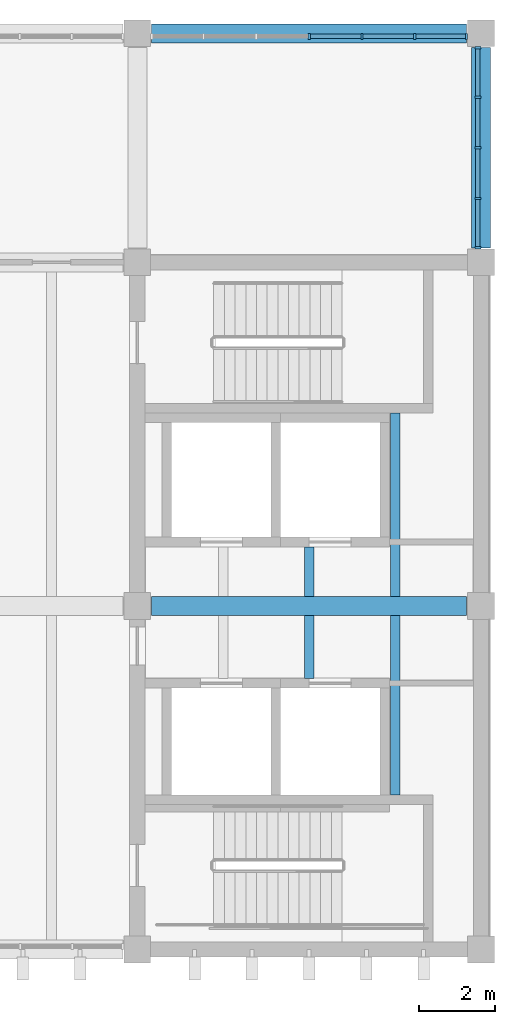
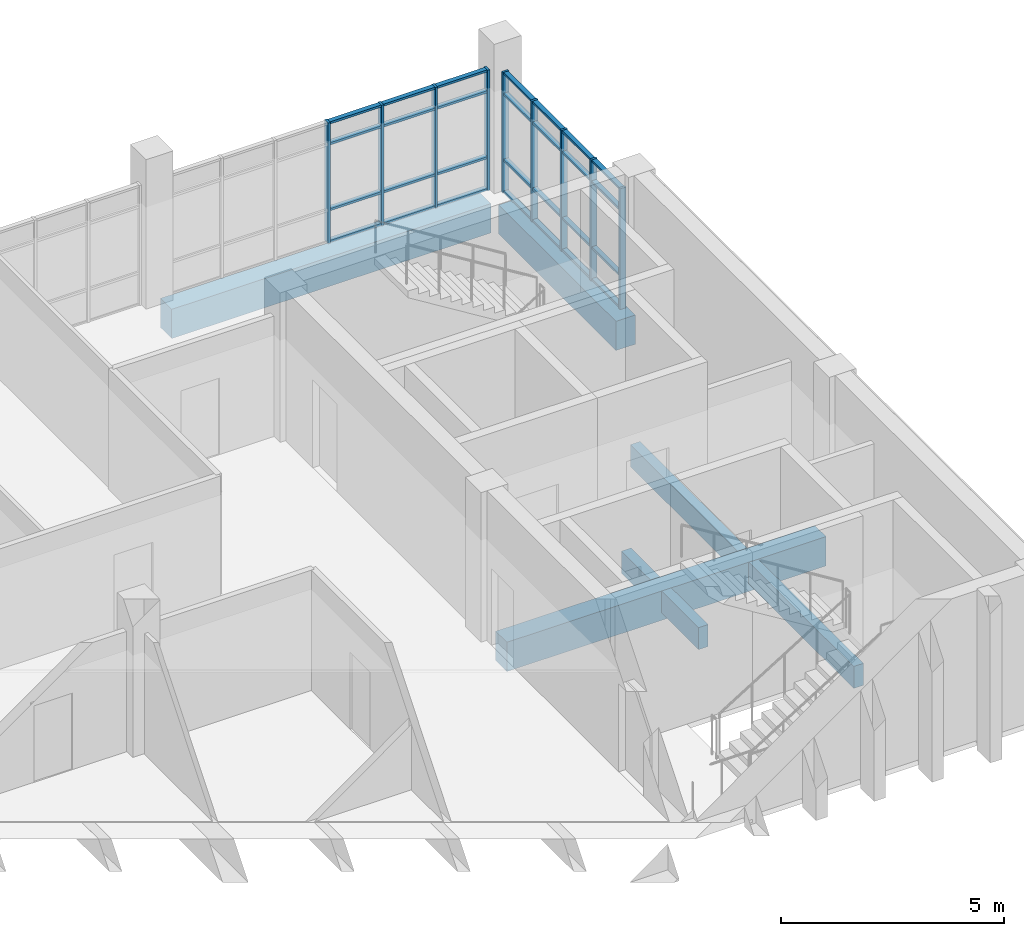
# One storey, part 6 of 14: 37 members, 7 beams, 2 elements without a shape of their own.
"""IFC4 building model written with IfcOpenShell, lengths in metres."""

import ifcopenshell
import ifcopenshell.guid

model = None  # the IFC model being written
_history = None  # IfcOwnerHistory: only IFC2X3 demands one
_inside = {}  # id of a spatial element -> (the spatial element, [elements in it])
_under = {}  # id of a project, library or spatial element -> (it, [spatial elements below it])
_declared = {}  # id of a project -> (the project, [libraries it declares])
_typed = {}  # id of a type object -> (the type object, [elements of that type])
_made_of = {}  # id of a material, layer set ... -> (it, [elements and type objects made of it])


def new_model(schema):
    """Start an empty IFC model of exactly this schema.

    Asked for "IFC4X3", IfcOpenShell would pick the latest addendum, in which some entities
    have other attributes; the version numbers below select the first issue.
    IFC2X3 requires an IfcOwnerHistory on every rooted entity: one is made here for all.
    """
    global model, _history
    if schema == "IFC4X3":
        model = ifcopenshell.file(schema_version=(4, 3, 0, 0))
    else:
        model = ifcopenshell.file(schema=schema)
    _inside.clear()
    _under.clear()
    _declared.clear()
    _typed.clear()
    _made_of.clear()
    _history = None
    if model.schema == "IFC2X3":
        org = make("IfcOrganization", Name="unknown")
        user = make(
            "IfcPersonAndOrganization",
            ThePerson=make("IfcPerson", FamilyName="unknown"),
            TheOrganization=org,
        )
        app = make(
            "IfcApplication",
            ApplicationDeveloper=org,
            Version="unknown",
            ApplicationFullName="unknown",
            ApplicationIdentifier="unknown",
        )
        _history = make(
            "IfcOwnerHistory",
            OwningUser=user,
            OwningApplication=app,
            ChangeAction="ADDED",
            CreationDate=0,
        )
    return model


def make(cls, **values):
    """One entity of the class cls with the attributes given. An attribute that is None is left unset."""
    return model.create_entity(
        cls, **{name: value for name, value in values.items() if value is not None}
    )


def rooted(cls, **values):
    """An entity with a GlobalId (a new one), such as an element, a storey or a relation."""
    return make(cls, GlobalId=ifcopenshell.guid.new(), OwnerHistory=_history, **values)


def si_unit(unit_type, name, prefix=None):
    """IfcSIUnit, for example si_unit("LENGTHUNIT", "METRE", prefix="MILLI")."""
    return make("IfcSIUnit", UnitType=unit_type, Prefix=prefix, Name=name)


def assignment(units):
    """IfcUnitAssignment: the units of a project."""
    return None if units is None else make("IfcUnitAssignment", Units=units)


def point(xyz):
    """IfcCartesianPoint."""
    return None if xyz is None else make("IfcCartesianPoint", Coordinates=xyz)


def direction(xyz):
    """IfcDirection."""
    return None if xyz is None else make("IfcDirection", DirectionRatios=xyz)


def frame(location, z_axis=None, x_axis=None):
    """IfcAxis2Placement3D, a coordinate frame: its origin and axes. An axis left out is left unset."""
    return make(
        "IfcAxis2Placement3D",
        Location=point(location),
        Axis=direction(z_axis),
        RefDirection=direction(x_axis),
    )


def frame_2d(location, x_axis=None):
    """IfcAxis2Placement2D, a coordinate frame in the plane: its origin and x axis."""
    return make(
        "IfcAxis2Placement2D", Location=point(location), RefDirection=direction(x_axis)
    )


def origin():
    """The frame at (0, 0, 0) with its axes left unset."""
    return frame((0.0, 0.0, 0.0))


def origin_2d():
    """The frame at (0, 0) in the plane with its x axis left unset."""
    return frame_2d((0.0, 0.0))


def place(relative_to, where):
    """IfcLocalPlacement: puts the frame where relative to a parent placement (None: the world)."""
    return make(
        "IfcLocalPlacement", PlacementRelTo=relative_to, RelativePlacement=where
    )


def context(
    kind, dimensions, precision=None, world=None, true_north=None, identifier=None
):
    """IfcGeometricRepresentationContext, for example the 3D "Model" context."""
    return make(
        "IfcGeometricRepresentationContext",
        ContextIdentifier=identifier,
        ContextType=kind,
        CoordinateSpaceDimension=dimensions,
        Precision=precision,
        WorldCoordinateSystem=world,
        TrueNorth=true_north,
    )


def subcontext(parent, identifier, kind, view, scale=None):
    """IfcGeometricRepresentationSubContext, for example "Body" below "Model"."""
    return make(
        "IfcGeometricRepresentationSubContext",
        ContextIdentifier=identifier,
        ContextType=kind,
        ParentContext=parent,
        TargetScale=scale,
        TargetView=view,
    )


def project(units=None, contexts=None):
    """IfcProject with its units and contexts."""
    return rooted(
        "IfcProject",
        Name="project",
        RepresentationContexts=contexts,
        UnitsInContext=assignment(units),
    )


def spatial(cls, under=None, at=None, **own):
    """A site, building, storey or space (cls), placed at a placement, below another one or the project."""
    s = rooted(cls, ObjectPlacement=at, **own)
    if under is not None:
        _under.setdefault(under.id(), (under, []))[1].append(s)
    return s


def profile(cls, at=None, kind="AREA", **sizes):
    """A parametric profile (cls). Its sizes go by their IFC names, for example OverallWidth=200.0."""
    return make(cls, ProfileType=kind, Position=at, **sizes)


def rectangle(**sizes):
    """IfcRectangleProfileDef."""
    return profile("IfcRectangleProfileDef", **sizes)


def extrude(swept, where, along, depth):
    """IfcExtrudedAreaSolid: the profile swept, set in the frame where, extruded along a direction by depth."""
    return make(
        "IfcExtrudedAreaSolid",
        SweptArea=swept,
        Position=where,
        ExtrudedDirection=direction(along),
        Depth=depth,
    )


def shape(context_of_items, identifier, shape_type, items):
    """IfcShapeRepresentation: the items that make up one representation, for example the "Body"."""
    return make(
        "IfcShapeRepresentation",
        ContextOfItems=context_of_items,
        RepresentationIdentifier=identifier,
        RepresentationType=shape_type,
        Items=items,
    )


def material(Name=None, Category=None):
    """IfcMaterial."""
    return make("IfcMaterial", Name=Name, Category=Category)


def material_profile(
    of_material, cross_section, Name=None, Category=None, Priority=None
):
    """IfcMaterialProfile: a cross section and its material."""
    return make(
        "IfcMaterialProfile",
        Name=Name,
        Material=of_material,
        Profile=cross_section,
        Priority=Priority,
        Category=Category,
    )


def profile_set(profiles, Name=None, composite=None):
    """IfcMaterialProfileSet."""
    return make(
        "IfcMaterialProfileSet",
        Name=Name,
        MaterialProfiles=profiles,
        CompositeProfile=composite,
    )


def made_of(thing, what):
    """Note that an element or type object is made of a material, layer set ...; save() writes the relation."""
    if what is not None:
        _made_of.setdefault(what.id(), (what, []))[1].append(thing)
    return thing


def type_object(cls, material=None, **own):
    """A type object (cls), such as IfcWallType, which elements share."""
    return made_of(rooted(cls, **own), material)


def element(
    cls,
    number,
    at=None,
    inside=None,
    cuts=None,
    type_object=None,
    material=None,
    context=None,
    identifier="Body",
    shape_type=None,
    held_by="IfcProductDefinitionShape",
    body=None,
    shapes=None,
    **own,
):
    """One element of the class cls, such as IfcWall. Its Tag is "e" and its number.

    at: its placement. inside: the storey or other place that contains it. cuts: it is an
    opening in that element (IfcRelVoidsElement). A single representation is given by context,
    identifier, shape_type and body (its items); several are given by shapes. held_by: the class
    of the entity that holds the representations. save() writes the other relations.
    """
    e = rooted(cls, Tag="e%d" % number, ObjectPlacement=at, **own)
    if body is not None:
        shapes = [shape(context, identifier, shape_type, body)]
    if shapes is not None:
        e.Representation = make(held_by, Representations=shapes)
    if inside is not None:
        _inside.setdefault(inside.id(), (inside, []))[1].append(e)
    if cuts is not None:
        rooted(
            "IfcRelVoidsElement", RelatingBuildingElement=cuts, RelatedOpeningElement=e
        )
    if type_object is not None:
        _typed.setdefault(type_object.id(), (type_object, []))[1].append(e)
    return made_of(e, material)


def aggregate(whole, parts):
    """IfcRelAggregates: a whole, such as a stair, and the parts it consists of."""
    return rooted("IfcRelAggregates", RelatingObject=whole, RelatedObjects=parts)


def save(model, path):
    """Write the relations noted so far, then the file.

    IfcRelAggregates (storeys below a building ...), IfcRelContainedInSpatialStructure (elements
    in a storey), IfcRelDefinesByType, IfcRelAssociatesMaterial and IfcRelDeclares: one each for
    every whole, place, type object, material and project.
    """
    for whole, parts in _under.values():
        aggregate(whole, parts)
    for where, things in _inside.values():
        rooted(
            "IfcRelContainedInSpatialStructure",
            RelatedElements=things,
            RelatingStructure=where,
        )
    for kind, things in _typed.values():
        rooted("IfcRelDefinesByType", RelatedObjects=things, RelatingType=kind)
    for what, things in _made_of.values():
        rooted("IfcRelAssociatesMaterial", RelatedObjects=things, RelatingMaterial=what)
    for by, libraries in _declared.values():
        rooted("IfcRelDeclares", RelatingContext=by, RelatedDefinitions=libraries)
    model.write(path)


model = new_model("IFC4")

# Units and contexts
model_context = context("Model", 3, precision=1e-05, world=origin(), true_north=direction((0.0, 1.0)))
body_context = subcontext(model_context, "Body", "Model", "MODEL_VIEW")
ifc_project = project(units=[si_unit("LENGTHUNIT", "METRE"), si_unit("AREAUNIT", "SQUARE_METRE"), si_unit("VOLUMEUNIT", "CUBIC_METRE"), si_unit("PLANEANGLEUNIT", "RADIAN"), si_unit("MASSUNIT", "GRAM", prefix="KILO")], contexts=[model_context])

# Site, building, storey
site_placement = place(None, origin())
site = spatial("IfcSite", under=ifc_project, at=site_placement, CompositionType="ELEMENT")
building_placement = place(site_placement, origin())
building = spatial("IfcBuilding", under=site, at=building_placement, Name="Merrow Basin Faculty of Sciences", CompositionType="ELEMENT")
storey_placement = place(building_placement, frame((0.0, 0.0, 36.0)))
storey = spatial("IfcBuildingStorey", under=building, at=storey_placement, Name="L08", CompositionType="ELEMENT", Elevation=36.0)

# Curtain wall, members
ifc_material_1 = material(Name="Aluminium alloy 6063", Category="aluminium")
curtain_wall_type = type_object("IfcCurtainWallType", Name="Unitised curtain wall 160", PredefinedType="NOTDEFINED", material=ifc_material_1)
curtain_wall_1_placement = place(storey_placement, origin())
curtain_wall_1 = element("IfcCurtainWall", 1, at=curtain_wall_1_placement, inside=storey, type_object=curtain_wall_type, Name="N curtain wall L08 6", PredefinedType="NOTDEFINED")
ifc_material_2 = material(Name="Aluminium alloy 6063", Category="aluminium")
ifc_material_profile_1 = material_profile(ifc_material_2, rectangle(XDim=0.159912109375, YDim=0.06005859375, at=origin_2d()))
ifc_profile_set_1 = profile_set([ifc_material_profile_1], Name="Aluminium alloy 6063")
member_type_1 = type_object("IfcMemberType", Name="Aluminium mullion 60x160", PredefinedType="MULLION", material=ifc_profile_set_1)
member_1_placement = place(storey_placement, frame((49.5, 165.919921875, 0.0), z_axis=(0.0, 0.0, 1.0), x_axis=(0.0, 1.0, 0.0)))
member_1 = element("IfcMember", 2, at=member_1_placement, type_object=member_type_1, Name="CW3 mullion 4", PredefinedType="MULLION", context=body_context, shape_type="SweptSolid", body=[
    extrude(rectangle(XDim=0.159912109375, YDim=0.06005859375, at=origin_2d()), origin(), (0.0, 0.0, 1.0), 3.300048828125),
])
member_2_placement = place(storey_placement, frame((50.88330078125, 165.919921875, 0.0), z_axis=(0.0, 0.0, 1.0), x_axis=(0.0, 1.0, 0.0)))
member_2 = element("IfcMember", 3, at=member_2_placement, type_object=member_type_1, Name="CW3 mullion 5", PredefinedType="MULLION", context=body_context, shape_type="SweptSolid", body=[
    extrude(rectangle(XDim=0.159912109375, YDim=0.06005859375, at=origin_2d()), origin(), (0.0, 0.0, 1.0), 3.300048828125),
])
member_3_placement = place(storey_placement, frame((52.2666015625, 165.919921875, 0.0), z_axis=(0.0, 0.0, 1.0), x_axis=(0.0, 1.0, 0.0)))
member_3 = element("IfcMember", 4, at=member_3_placement, type_object=member_type_1, Name="CW3 mullion 6", PredefinedType="MULLION", context=body_context, shape_type="SweptSolid", body=[
    extrude(rectangle(XDim=0.159912109375, YDim=0.06005859375, at=origin_2d()), origin(), (0.0, 0.0, 1.0), 3.300048828125),
])
member_4_placement = place(storey_placement, frame((53.6201171875, 165.919921875, 0.0), z_axis=(0.0, 0.0, 1.0), x_axis=(0.0, 1.0, 0.0)))
member_4 = element("IfcMember", 5, at=member_4_placement, type_object=member_type_1, Name="CW3 mullion 7", PredefinedType="MULLION", context=body_context, shape_type="SweptSolid", body=[
    extrude(rectangle(XDim=0.159912109375, YDim=0.06005859375, at=origin_2d()), origin(), (0.0, 0.0, 1.0), 3.300048828125),
])

curtain_wall_2_placement = place(storey_placement, origin())
curtain_wall_2 = element("IfcCurtainWall", 6, at=curtain_wall_2_placement, inside=storey, type_object=curtain_wall_type, Name="E curtain wall L08 1", PredefinedType="NOTDEFINED")
member_5_placement = place(storey_placement, frame((53.919921875, 160.3798828125, 0.0), z_axis=(0.0, 0.0, 1.0), x_axis=(-1.0, 0.0, 0.0)))
member_5 = element("IfcMember", 7, at=member_5_placement, type_object=member_type_1, Name="CW3 mullion 1", PredefinedType="MULLION", context=body_context, shape_type="SweptSolid", body=[
    extrude(rectangle(XDim=0.159912109375, YDim=0.06005859375, at=origin_2d()), origin(), (0.0, 0.0, 1.0), 3.300048828125),
])
member_6_placement = place(storey_placement, frame((53.919921875, 161.675048828125, 0.0), z_axis=(0.0, 0.0, 1.0), x_axis=(-1.0, 0.0, 0.0)))
member_6 = element("IfcMember", 8, at=member_6_placement, type_object=member_type_1, Name="CW3 mullion 2", PredefinedType="MULLION", context=body_context, shape_type="SweptSolid", body=[
    extrude(rectangle(XDim=0.159912109375, YDim=0.06005859375, at=origin_2d()), origin(), (0.0, 0.0, 1.0), 3.300048828125),
])
member_7_placement = place(storey_placement, frame((53.919921875, 163.0, 0.0), z_axis=(0.0, 0.0, 1.0), x_axis=(-1.0, 0.0, 0.0)))
member_7 = element("IfcMember", 9, at=member_7_placement, type_object=member_type_1, Name="CW3 mullion 3", PredefinedType="MULLION", context=body_context, shape_type="SweptSolid", body=[
    extrude(rectangle(XDim=0.159912109375, YDim=0.06005859375, at=origin_2d()), origin(), (0.0, 0.0, 1.0), 3.300048828125),
])
member_8_placement = place(storey_placement, frame((53.919921875, 164.324951171875, 0.0), z_axis=(0.0, 0.0, 1.0), x_axis=(-1.0, 0.0, 0.0)))
member_8 = element("IfcMember", 10, at=member_8_placement, type_object=member_type_1, Name="CW3 mullion 4", PredefinedType="MULLION", context=body_context, shape_type="SweptSolid", body=[
    extrude(rectangle(XDim=0.159912109375, YDim=0.06005859375, at=origin_2d()), origin(), (0.0, 0.0, 1.0), 3.300048828125),
])
member_9_placement = place(storey_placement, frame((53.919921875, 165.6201171875, 0.0), z_axis=(0.0, 0.0, 1.0), x_axis=(-1.0, 0.0, 0.0)))
member_9 = element("IfcMember", 11, at=member_9_placement, type_object=member_type_1, Name="CW3 mullion 5", PredefinedType="MULLION", context=body_context, shape_type="SweptSolid", body=[
    extrude(rectangle(XDim=0.159912109375, YDim=0.06005859375, at=origin_2d()), origin(), (0.0, 0.0, 1.0), 3.300048828125),
])

# Member
ifc_material_3 = material(Name="Aluminium alloy 6063", Category="aluminium")
ifc_material_profile_2 = material_profile(ifc_material_3, rectangle(XDim=0.1201171875, YDim=0.06005859375, at=origin_2d()))
ifc_profile_set_2 = profile_set([ifc_material_profile_2], Name="Aluminium alloy 6063")
member_type_2 = type_object("IfcMemberType", Name="Aluminium transom 60x120", PredefinedType="USERDEFINED", material=ifc_profile_set_2)
member_10_placement = place(storey_placement, frame((49.530029296875, 165.919921875, 0.030029296875), z_axis=(1.0, 0.0, 0.0), x_axis=(0.0, 1.0, 0.0)))
member_10 = element("IfcMember", 12, at=member_10_placement, type_object=member_type_2, Name="CW3 transom 4.1", ObjectType="TRANSOM", PredefinedType="USERDEFINED", context=body_context, shape_type="SweptSolid", body=[
    extrude(rectangle(XDim=0.1201171875, YDim=0.06005859375, at=origin_2d()), origin(), (0.0, 0.0, 1.0), 1.3232421875),
])

member_11_placement = place(storey_placement, frame((49.530029296875, 165.919921875, 0.89990234375), z_axis=(1.0, 0.0, 0.0), x_axis=(0.0, 1.0, 0.0)))
member_11 = element("IfcMember", 13, at=member_11_placement, type_object=member_type_2, Name="CW3 transom 4.2", ObjectType="TRANSOM", PredefinedType="USERDEFINED", context=body_context, shape_type="SweptSolid", body=[
    extrude(rectangle(XDim=0.1201171875, YDim=0.06005859375, at=origin_2d()), origin(), (0.0, 0.0, 1.0), 1.3232421875),
])

member_12_placement = place(storey_placement, frame((49.530029296875, 165.919921875, 2.699951171875), z_axis=(1.0, 0.0, 0.0), x_axis=(0.0, 1.0, 0.0)))
member_12 = element("IfcMember", 14, at=member_12_placement, type_object=member_type_2, Name="CW3 transom 4.3", ObjectType="TRANSOM", PredefinedType="USERDEFINED", context=body_context, shape_type="SweptSolid", body=[
    extrude(rectangle(XDim=0.1201171875, YDim=0.06005859375, at=origin_2d()), origin(), (0.0, 0.0, 1.0), 1.3232421875),
])

member_13_placement = place(storey_placement, frame((49.530029296875, 165.919921875, 3.27001953125), z_axis=(1.0, 0.0, 0.0), x_axis=(0.0, 1.0, 0.0)))
member_13 = element("IfcMember", 15, at=member_13_placement, type_object=member_type_2, Name="CW3 transom 4.4", ObjectType="TRANSOM", PredefinedType="USERDEFINED", context=body_context, shape_type="SweptSolid", body=[
    extrude(rectangle(XDim=0.1201171875, YDim=0.06005859375, at=origin_2d()), origin(), (0.0, 0.0, 1.0), 1.3232421875),
])

member_14_placement = place(storey_placement, frame((50.913330078125, 165.919921875, 0.030029296875), z_axis=(1.0, 0.0, 0.0), x_axis=(0.0, 1.0, 0.0)))
member_14 = element("IfcMember", 16, at=member_14_placement, type_object=member_type_2, Name="CW3 transom 5.1", ObjectType="TRANSOM", PredefinedType="USERDEFINED", context=body_context, shape_type="SweptSolid", body=[
    extrude(rectangle(XDim=0.1201171875, YDim=0.06005859375, at=origin_2d()), origin(), (0.0, 0.0, 1.0), 1.3232421875),
])

member_15_placement = place(storey_placement, frame((50.913330078125, 165.919921875, 0.89990234375), z_axis=(1.0, 0.0, 0.0), x_axis=(0.0, 1.0, 0.0)))
member_15 = element("IfcMember", 17, at=member_15_placement, type_object=member_type_2, Name="CW3 transom 5.2", ObjectType="TRANSOM", PredefinedType="USERDEFINED", context=body_context, shape_type="SweptSolid", body=[
    extrude(rectangle(XDim=0.1201171875, YDim=0.06005859375, at=origin_2d()), origin(), (0.0, 0.0, 1.0), 1.3232421875),
])

member_16_placement = place(storey_placement, frame((50.913330078125, 165.919921875, 2.699951171875), z_axis=(1.0, 0.0, 0.0), x_axis=(0.0, 1.0, 0.0)))
member_16 = element("IfcMember", 18, at=member_16_placement, type_object=member_type_2, Name="CW3 transom 5.3", ObjectType="TRANSOM", PredefinedType="USERDEFINED", context=body_context, shape_type="SweptSolid", body=[
    extrude(rectangle(XDim=0.1201171875, YDim=0.06005859375, at=origin_2d()), origin(), (0.0, 0.0, 1.0), 1.3232421875),
])

member_17_placement = place(storey_placement, frame((50.913330078125, 165.919921875, 3.27001953125), z_axis=(1.0, 0.0, 0.0), x_axis=(0.0, 1.0, 0.0)))
member_17 = element("IfcMember", 19, at=member_17_placement, type_object=member_type_2, Name="CW3 transom 5.4", ObjectType="TRANSOM", PredefinedType="USERDEFINED", context=body_context, shape_type="SweptSolid", body=[
    extrude(rectangle(XDim=0.1201171875, YDim=0.06005859375, at=origin_2d()), origin(), (0.0, 0.0, 1.0), 1.3232421875),
])

member_18_placement = place(storey_placement, frame((52.296630859375, 165.919921875, 0.030029296875), z_axis=(1.0, 0.0, 0.0), x_axis=(0.0, 1.0, 0.0)))
member_18 = element("IfcMember", 20, at=member_18_placement, type_object=member_type_2, Name="CW3 transom 6.1", ObjectType="TRANSOM", PredefinedType="USERDEFINED", context=body_context, shape_type="SweptSolid", body=[
    extrude(rectangle(XDim=0.1201171875, YDim=0.06005859375, at=origin_2d()), origin(), (0.0, 0.0, 1.0), 1.29345703125),
])

member_19_placement = place(storey_placement, frame((52.296630859375, 165.919921875, 0.89990234375), z_axis=(1.0, 0.0, 0.0), x_axis=(0.0, 1.0, 0.0)))
member_19 = element("IfcMember", 21, at=member_19_placement, type_object=member_type_2, Name="CW3 transom 6.2", ObjectType="TRANSOM", PredefinedType="USERDEFINED", context=body_context, shape_type="SweptSolid", body=[
    extrude(rectangle(XDim=0.1201171875, YDim=0.06005859375, at=origin_2d()), origin(), (0.0, 0.0, 1.0), 1.29345703125),
])

member_20_placement = place(storey_placement, frame((52.296630859375, 165.919921875, 2.699951171875), z_axis=(1.0, 0.0, 0.0), x_axis=(0.0, 1.0, 0.0)))
member_20 = element("IfcMember", 22, at=member_20_placement, type_object=member_type_2, Name="CW3 transom 6.3", ObjectType="TRANSOM", PredefinedType="USERDEFINED", context=body_context, shape_type="SweptSolid", body=[
    extrude(rectangle(XDim=0.1201171875, YDim=0.06005859375, at=origin_2d()), origin(), (0.0, 0.0, 1.0), 1.29345703125),
])

member_21_placement = place(storey_placement, frame((52.296630859375, 165.919921875, 3.27001953125), z_axis=(1.0, 0.0, 0.0), x_axis=(0.0, 1.0, 0.0)))
member_21 = element("IfcMember", 23, at=member_21_placement, type_object=member_type_2, Name="CW3 transom 6.4", ObjectType="TRANSOM", PredefinedType="USERDEFINED", context=body_context, shape_type="SweptSolid", body=[
    extrude(rectangle(XDim=0.1201171875, YDim=0.06005859375, at=origin_2d()), origin(), (0.0, 0.0, 1.0), 1.29345703125),
])

aggregate(curtain_wall_1, [member_1, member_2, member_3, member_4, member_10, member_11, member_12, member_13, member_14, member_15, member_16, member_17, member_18, member_19, member_20, member_21])

member_22_placement = place(storey_placement, frame((53.919921875, 160.409912109375, 0.030029296875), z_axis=(0.0, 1.0, 0.0), x_axis=(-1.0, 0.0, 0.0)))
member_22 = element("IfcMember", 24, at=member_22_placement, type_object=member_type_2, Name="CW3 transom 1.1", ObjectType="TRANSOM", PredefinedType="USERDEFINED", context=body_context, shape_type="SweptSolid", body=[
    extrude(rectangle(XDim=0.1201171875, YDim=0.06005859375, at=origin_2d()), origin(), (0.0, 0.0, 1.0), 1.235107421875),
])

member_23_placement = place(storey_placement, frame((53.919921875, 160.409912109375, 0.89990234375), z_axis=(0.0, 1.0, 0.0), x_axis=(-1.0, 0.0, 0.0)))
member_23 = element("IfcMember", 25, at=member_23_placement, type_object=member_type_2, Name="CW3 transom 1.2", ObjectType="TRANSOM", PredefinedType="USERDEFINED", context=body_context, shape_type="SweptSolid", body=[
    extrude(rectangle(XDim=0.1201171875, YDim=0.06005859375, at=origin_2d()), origin(), (0.0, 0.0, 1.0), 1.235107421875),
])

member_24_placement = place(storey_placement, frame((53.919921875, 160.409912109375, 2.699951171875), z_axis=(0.0, 1.0, 0.0), x_axis=(-1.0, 0.0, 0.0)))
member_24 = element("IfcMember", 26, at=member_24_placement, type_object=member_type_2, Name="CW3 transom 1.3", ObjectType="TRANSOM", PredefinedType="USERDEFINED", context=body_context, shape_type="SweptSolid", body=[
    extrude(rectangle(XDim=0.1201171875, YDim=0.06005859375, at=origin_2d()), origin(), (0.0, 0.0, 1.0), 1.235107421875),
])

member_25_placement = place(storey_placement, frame((53.919921875, 160.409912109375, 3.27001953125), z_axis=(0.0, 1.0, 0.0), x_axis=(-1.0, 0.0, 0.0)))
member_25 = element("IfcMember", 27, at=member_25_placement, type_object=member_type_2, Name="CW3 transom 1.4", ObjectType="TRANSOM", PredefinedType="USERDEFINED", context=body_context, shape_type="SweptSolid", body=[
    extrude(rectangle(XDim=0.1201171875, YDim=0.06005859375, at=origin_2d()), origin(), (0.0, 0.0, 1.0), 1.235107421875),
])

member_26_placement = place(storey_placement, frame((53.919921875, 161.705078125, 0.030029296875), z_axis=(0.0, 1.0, 0.0), x_axis=(-1.0, 0.0, 0.0)))
member_26 = element("IfcMember", 28, at=member_26_placement, type_object=member_type_2, Name="CW3 transom 2.1", ObjectType="TRANSOM", PredefinedType="USERDEFINED", context=body_context, shape_type="SweptSolid", body=[
    extrude(rectangle(XDim=0.1201171875, YDim=0.06005859375, at=origin_2d()), origin(), (0.0, 0.0, 1.0), 1.264892578125),
])

member_27_placement = place(storey_placement, frame((53.919921875, 161.705078125, 0.89990234375), z_axis=(0.0, 1.0, 0.0), x_axis=(-1.0, 0.0, 0.0)))
member_27 = element("IfcMember", 29, at=member_27_placement, type_object=member_type_2, Name="CW3 transom 2.2", ObjectType="TRANSOM", PredefinedType="USERDEFINED", context=body_context, shape_type="SweptSolid", body=[
    extrude(rectangle(XDim=0.1201171875, YDim=0.06005859375, at=origin_2d()), origin(), (0.0, 0.0, 1.0), 1.264892578125),
])

member_28_placement = place(storey_placement, frame((53.919921875, 161.705078125, 2.699951171875), z_axis=(0.0, 1.0, 0.0), x_axis=(-1.0, 0.0, 0.0)))
member_28 = element("IfcMember", 30, at=member_28_placement, type_object=member_type_2, Name="CW3 transom 2.3", ObjectType="TRANSOM", PredefinedType="USERDEFINED", context=body_context, shape_type="SweptSolid", body=[
    extrude(rectangle(XDim=0.1201171875, YDim=0.06005859375, at=origin_2d()), origin(), (0.0, 0.0, 1.0), 1.264892578125),
])

member_29_placement = place(storey_placement, frame((53.919921875, 161.705078125, 3.27001953125), z_axis=(0.0, 1.0, 0.0), x_axis=(-1.0, 0.0, 0.0)))
member_29 = element("IfcMember", 31, at=member_29_placement, type_object=member_type_2, Name="CW3 transom 2.4", ObjectType="TRANSOM", PredefinedType="USERDEFINED", context=body_context, shape_type="SweptSolid", body=[
    extrude(rectangle(XDim=0.1201171875, YDim=0.06005859375, at=origin_2d()), origin(), (0.0, 0.0, 1.0), 1.264892578125),
])

member_30_placement = place(storey_placement, frame((53.919921875, 163.030029296875, 0.030029296875), z_axis=(0.0, 1.0, 0.0), x_axis=(-1.0, 0.0, 0.0)))
member_30 = element("IfcMember", 32, at=member_30_placement, type_object=member_type_2, Name="CW3 transom 3.1", ObjectType="TRANSOM", PredefinedType="USERDEFINED", context=body_context, shape_type="SweptSolid", body=[
    extrude(rectangle(XDim=0.1201171875, YDim=0.06005859375, at=origin_2d()), origin(), (0.0, 0.0, 1.0), 1.264892578125),
])

member_31_placement = place(storey_placement, frame((53.919921875, 163.030029296875, 0.89990234375), z_axis=(0.0, 1.0, 0.0), x_axis=(-1.0, 0.0, 0.0)))
member_31 = element("IfcMember", 33, at=member_31_placement, type_object=member_type_2, Name="CW3 transom 3.2", ObjectType="TRANSOM", PredefinedType="USERDEFINED", context=body_context, shape_type="SweptSolid", body=[
    extrude(rectangle(XDim=0.1201171875, YDim=0.06005859375, at=origin_2d()), origin(), (0.0, 0.0, 1.0), 1.264892578125),
])

member_32_placement = place(storey_placement, frame((53.919921875, 163.030029296875, 2.699951171875), z_axis=(0.0, 1.0, 0.0), x_axis=(-1.0, 0.0, 0.0)))
member_32 = element("IfcMember", 34, at=member_32_placement, type_object=member_type_2, Name="CW3 transom 3.3", ObjectType="TRANSOM", PredefinedType="USERDEFINED", context=body_context, shape_type="SweptSolid", body=[
    extrude(rectangle(XDim=0.1201171875, YDim=0.06005859375, at=origin_2d()), origin(), (0.0, 0.0, 1.0), 1.264892578125),
])

member_33_placement = place(storey_placement, frame((53.919921875, 163.030029296875, 3.27001953125), z_axis=(0.0, 1.0, 0.0), x_axis=(-1.0, 0.0, 0.0)))
member_33 = element("IfcMember", 35, at=member_33_placement, type_object=member_type_2, Name="CW3 transom 3.4", ObjectType="TRANSOM", PredefinedType="USERDEFINED", context=body_context, shape_type="SweptSolid", body=[
    extrude(rectangle(XDim=0.1201171875, YDim=0.06005859375, at=origin_2d()), origin(), (0.0, 0.0, 1.0), 1.264892578125),
])

member_34_placement = place(storey_placement, frame((53.919921875, 164.35498046875, 0.030029296875), z_axis=(0.0, 1.0, 0.0), x_axis=(-1.0, 0.0, 0.0)))
member_34 = element("IfcMember", 36, at=member_34_placement, type_object=member_type_2, Name="CW3 transom 4.1", ObjectType="TRANSOM", PredefinedType="USERDEFINED", context=body_context, shape_type="SweptSolid", body=[
    extrude(rectangle(XDim=0.1201171875, YDim=0.06005859375, at=origin_2d()), origin(), (0.0, 0.0, 1.0), 1.235107421875),
])

member_35_placement = place(storey_placement, frame((53.919921875, 164.35498046875, 0.89990234375), z_axis=(0.0, 1.0, 0.0), x_axis=(-1.0, 0.0, 0.0)))
member_35 = element("IfcMember", 37, at=member_35_placement, type_object=member_type_2, Name="CW3 transom 4.2", ObjectType="TRANSOM", PredefinedType="USERDEFINED", context=body_context, shape_type="SweptSolid", body=[
    extrude(rectangle(XDim=0.1201171875, YDim=0.06005859375, at=origin_2d()), origin(), (0.0, 0.0, 1.0), 1.235107421875),
])

member_36_placement = place(storey_placement, frame((53.919921875, 164.35498046875, 2.699951171875), z_axis=(0.0, 1.0, 0.0), x_axis=(-1.0, 0.0, 0.0)))
member_36 = element("IfcMember", 38, at=member_36_placement, type_object=member_type_2, Name="CW3 transom 4.3", ObjectType="TRANSOM", PredefinedType="USERDEFINED", context=body_context, shape_type="SweptSolid", body=[
    extrude(rectangle(XDim=0.1201171875, YDim=0.06005859375, at=origin_2d()), origin(), (0.0, 0.0, 1.0), 1.235107421875),
])

member_37_placement = place(storey_placement, frame((53.919921875, 164.35498046875, 3.27001953125), z_axis=(0.0, 1.0, 0.0), x_axis=(-1.0, 0.0, 0.0)))
member_37 = element("IfcMember", 39, at=member_37_placement, type_object=member_type_2, Name="CW3 transom 4.4", ObjectType="TRANSOM", PredefinedType="USERDEFINED", context=body_context, shape_type="SweptSolid", body=[
    extrude(rectangle(XDim=0.1201171875, YDim=0.06005859375, at=origin_2d()), origin(), (0.0, 0.0, 1.0), 1.235107421875),
])

aggregate(curtain_wall_2, [member_5, member_6, member_7, member_8, member_9, member_22, member_23, member_24, member_25, member_26, member_27, member_28, member_29, member_30, member_31, member_32, member_33, member_34, member_35, member_36, member_37])

# Beams
ifc_material_4 = material(Name="Concrete C40/50", Category="concrete")
ifc_material_profile_3 = material_profile(ifc_material_4, rectangle(XDim=0.5, YDim=0.800048828125, at=origin_2d()))
ifc_profile_set_3 = profile_set([ifc_material_profile_3], Name="Concrete C40/50")
beam_type_1 = type_object("IfcBeamType", Name="Beam RC500x800 C40/50", PredefinedType="BEAM", material=ifc_profile_set_3)
for number, where, z_axis, x_axis, name in (
    (40, (45.375, 151.0, -0.699951171875), (1.0, 0.0, 0.0), (0.0, 1.0, 0.0), "B4 L08 005"),
    (41, (45.375, 166.0, -0.699951171875), (1.0, 0.0, 0.0), (0.0, 1.0, 0.0), "B4 L08 012"),
):
    element("IfcBeam", number, at=place(storey_placement, frame(where, z_axis=z_axis, x_axis=x_axis)), inside=storey, type_object=beam_type_1, Name=name, PredefinedType="BEAM", context=body_context, shape_type="SweptSolid", body=[
        extrude(rectangle(XDim=0.5, YDim=0.800048828125, at=origin_2d()), origin(), (0.0, 0.0, 1.0), 8.25),
    ])
beam_1_placement = place(storey_placement, frame((54.0, 160.375, -0.699951171875), z_axis=(0.0, 1.0, 0.0), x_axis=(-1.0, 0.0, 0.0)))
element("IfcBeam", 42, at=beam_1_placement, inside=storey, type_object=beam_type_1, Name="B4 L08 021", PredefinedType="BEAM", context=body_context, shape_type="SweptSolid", body=[
    extrude(rectangle(XDim=0.5, YDim=0.800048828125, at=origin_2d()), origin(), (0.0, 0.0, 1.0), 5.25),
])
ifc_material_5 = material(Name="Concrete C40/50", Category="concrete")
ifc_material_profile_4 = material_profile(ifc_material_5, rectangle(XDim=0.25, YDim=0.60009765625, at=origin_2d()))
ifc_profile_set_4 = profile_set([ifc_material_profile_4], Name="Concrete C40/50")
beam_type_2 = type_object("IfcBeamType", Name="Tower floor joist RC250x600 C40/50", PredefinedType="BEAM", material=ifc_profile_set_4)
beam_2_placement = place(storey_placement, frame((49.5, 149.10009765625, -0.60009765625), z_axis=(0.0, 1.0, 0.0), x_axis=(-1.0, 0.0, 0.0)))
element("IfcBeam", 43, at=beam_2_placement, inside=storey, type_object=beam_type_2, Name="JT1 L08 042", PredefinedType="BEAM", context=body_context, shape_type="SweptSolid", body=[
    extrude(rectangle(XDim=0.25, YDim=0.60009765625, at=origin_2d()), origin(), (0.0, 0.0, 1.0), 1.64990234375),
])
beam_3_placement = place(storey_placement, frame((51.75, 146.050048828125, -0.60009765625), z_axis=(0.0, 1.0, 0.0), x_axis=(-1.0, 0.0, 0.0)))
element("IfcBeam", 44, at=beam_3_placement, inside=storey, type_object=beam_type_2, Name="JT1 L08 043", PredefinedType="BEAM", context=body_context, shape_type="SweptSolid", body=[
    extrude(rectangle(XDim=0.25, YDim=0.60009765625, at=origin_2d()), origin(), (0.0, 0.0, 1.0), 4.699951171875),
])
beam_4_placement = place(storey_placement, frame((49.5, 151.25, -0.60009765625), z_axis=(0.0, 1.0, 0.0), x_axis=(-1.0, 0.0, 0.0)))
element("IfcBeam", 45, at=beam_4_placement, inside=storey, type_object=beam_type_2, Name="JT1 L08 045", PredefinedType="BEAM", context=body_context, shape_type="SweptSolid", body=[
    extrude(rectangle(XDim=0.25, YDim=0.60009765625, at=origin_2d()), origin(), (0.0, 0.0, 1.0), 1.300048828125),
])
beam_5_placement = place(storey_placement, frame((51.75, 151.25, -0.60009765625), z_axis=(0.0, 1.0, 0.0), x_axis=(-1.0, 0.0, 0.0)))
element("IfcBeam", 46, at=beam_5_placement, inside=storey, type_object=beam_type_2, Name="JT1 L08 046", PredefinedType="BEAM", context=body_context, shape_type="SweptSolid", body=[
    extrude(rectangle(XDim=0.25, YDim=0.60009765625, at=origin_2d()), origin(), (0.0, 0.0, 1.0), 4.800048828125),
])

save(model, "model.ifc")
